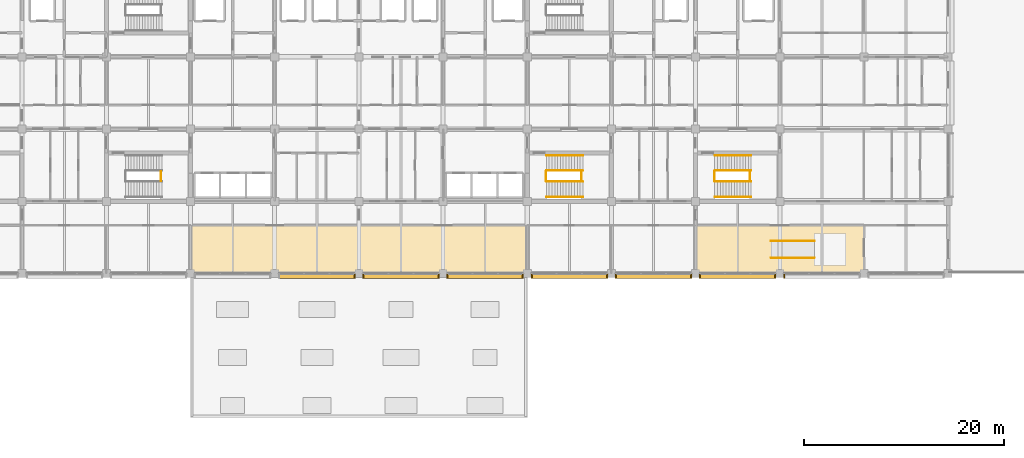
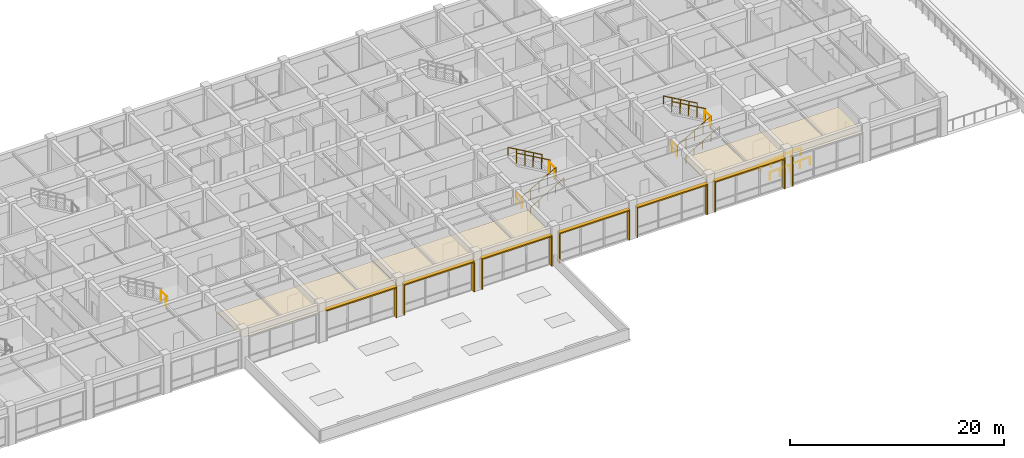
# One storey, part 36 of 40: 18 shading devices, 15 railings, 3 coverings.
"""IFC4 building model written with IfcOpenShell, lengths in metres."""

from ifc_helpers import new_model, si_unit, direction, frame, origin, origin_2d, place, context, subcontext, project, spatial, polyline, rectangle, circle, outline, extrude, material, layer, layer_set, type_object, element, save


model = new_model("IFC4")

# Units and contexts
model_context = context("Model", 3, precision=1e-05, world=origin(), true_north=direction((0.0, 1.0)))
body_context = subcontext(model_context, "Body", "Model", "MODEL_VIEW")
ifc_project = project(units=[si_unit("LENGTHUNIT", "METRE"), si_unit("AREAUNIT", "SQUARE_METRE"), si_unit("VOLUMEUNIT", "CUBIC_METRE"), si_unit("PLANEANGLEUNIT", "RADIAN"), si_unit("MASSUNIT", "GRAM", prefix="KILO")], contexts=[model_context])

# Site, building, storey
site_placement = place(None, origin())
site = spatial("IfcSite", under=ifc_project, at=site_placement, CompositionType="ELEMENT")
building_placement = place(site_placement, origin())
building = spatial("IfcBuilding", under=site, at=building_placement, Name="Chengyuan Square Courthouse", CompositionType="ELEMENT")
storey_placement = place(building_placement, frame((0.0, 0.0, 21.60009765625)))
storey = spatial("IfcBuildingStorey", under=building, at=storey_placement, Name="L05", CompositionType="ELEMENT", Elevation=21.60009765625)

# Coverings
ifc_material_1 = material(Name="Perforated Larch Glulam Acoustic Slat Ceiling", Category="wood")
ifc_layer = layer(ifc_material_1, 0.044921875)
ifc_layer_set = layer_set([ifc_layer], Name="Perforated Larch Glulam Acoustic Slat Ceiling")
covering_type = type_object("IfcCoveringType", Name="CLG-01", PredefinedType="CEILING", material=ifc_layer_set)
covering_1_placement = place(storey_placement, frame((0.0, 0.0, 3.139892578125)))
element("IfcCovering", 1, at=covering_1_placement, inside=storey, type_object=covering_type, Name="Acoustic Timber Slat Ceiling CLG-L05-CRT-M3", PredefinedType="CEILING", context=body_context, shape_type="SweptSolid", body=[
    extrude(outline(polyline([(67.25, 79.25), (83.949951171875, 79.25), (83.949951171875, 83.949951171875), (67.25, 83.949951171875), (67.25, 79.25)])), origin(), (0.0, 0.0, 1.0), 0.044921875),
])
covering_2_placement = place(storey_placement, frame((0.0, 0.0, 3.139892578125)))
element("IfcCovering", 2, at=covering_2_placement, inside=storey, type_object=covering_type, Name="Acoustic Timber Slat Ceiling CLG-L05-CRT-M4", PredefinedType="CEILING", context=body_context, shape_type="SweptSolid", body=[
    extrude(outline(polyline([(84.050048828125, 79.25), (100.75, 79.25), (100.75, 83.949951171875), (84.050048828125, 83.949951171875), (84.050048828125, 79.25)])), origin(), (0.0, 0.0, 1.0), 0.044921875),
])
covering_3_placement = place(storey_placement, frame((0.0, 0.0, 3.139892578125)))
element("IfcCovering", 3, at=covering_3_placement, inside=storey, type_object=covering_type, Name="Acoustic Timber Slat Ceiling CLG-L05-CRT-M2", PredefinedType="CEILING", context=body_context, shape_type="SweptSolid", body=[
    extrude(outline(polyline([(117.64990234375, 79.25), (134.35009765625, 79.25), (134.35009765625, 83.949951171875), (117.64990234375, 83.949951171875), (117.64990234375, 79.25)])), origin(), (0.0, 0.0, 1.0), 0.044921875),
])

# Railings
ifc_material_2 = material(Name="Tempered Glass and Timber Top-Rail Balustrade", Category="wood")
railing_type_1 = type_object("IfcRailingType", Name="RL-02", PredefinedType="BALUSTRADE", material=ifc_material_2)
for number, where, name in (
    (4, (64.22998046875, 88.39990234375, 2.25), "Stair Landing Guard ST-3-L05"),
    (5, (102.68994140625, 88.39990234375, 0.0), "Stair Floor Slot Guard ST-4 L05"),
    (6, (106.22998046875, 88.39990234375, 2.25), "Stair Landing Guard ST-4-L05"),
):
    element("IfcRailing", number, at=place(storey_placement, frame(where)), inside=storey, type_object=railing_type_1, Name=name, PredefinedType="BALUSTRADE", context=body_context, shape_type="SweptSolid", body=[
        extrude(circle(Radius=0.02392578125, at=origin_2d()), frame((0.0, 0.0, 1.17578125), z_axis=(0.0, 1.0, 0.0), x_axis=(-1.0, 0.0, 0.0)), (0.0, 0.0, 1.0), 1.0),
        extrude(circle(Radius=0.02099609375, at=origin_2d()), origin(), (0.0, 0.0, 1.0), 1.15185546875),
        extrude(circle(Radius=0.02099609375, at=origin_2d()), frame((0.0, 1.0, 0.0)), (0.0, 0.0, 1.0), 1.15185546875),
    ])
railing_1_placement = place(storey_placement, frame((102.7099609375, 88.35009765625, 0.16064453125)))
element("IfcRailing", 7, at=railing_1_placement, inside=storey, type_object=railing_type_1, Name="Stair Flight 1 Guard ST-4-L05", PredefinedType="BALUSTRADE", context=body_context, shape_type="SweptSolid", body=[
    extrude(circle(Radius=0.02392578125, at=origin_2d()), frame((0.0, 0.0, 1.17578125), z_axis=(0.867289372828, 0.0, 0.497804322781), x_axis=(0.0, 1.0, 0.0)), (0.0, 0.0, 1.0), 4.197021484375),
    extrude(circle(Radius=0.02099609375, at=origin_2d()), origin(), (0.0, 0.0, 1.0), 1.15185546875),
    extrude(circle(Radius=0.02099609375, at=origin_2d()), frame((0.91015625, 0.0, 0.5224609375)), (0.0, 0.0, 1.0), 1.15185546875),
    extrude(circle(Radius=0.02099609375, at=origin_2d()), frame((1.820068359375, 0.0, 1.044677734375)), (0.0, 0.0, 1.0), 1.15185546875),
    extrude(circle(Radius=0.02099609375, at=origin_2d()), frame((2.72998046875, 0.0, 1.56689453125)), (0.0, 0.0, 1.0), 1.15185546875),
    extrude(circle(Radius=0.02099609375, at=origin_2d()), frame((3.64013671875, 0.0, 2.08935546875)), (0.0, 0.0, 1.0), 1.15185546875),
])
railing_2_placement = place(storey_placement, frame((106.35009765625, 89.449951171875, 2.41064453125)))
element("IfcRailing", 8, at=railing_2_placement, inside=storey, type_object=railing_type_1, Name="Stair Flight 2 Guard ST-4-L05", PredefinedType="BALUSTRADE", context=body_context, shape_type="SweptSolid", body=[
    extrude(circle(Radius=0.02392578125, at=origin_2d()), frame((0.0, 0.0, 1.17578125), z_axis=(-0.867289372828, 0.0, 0.497804322781), x_axis=(0.0, -1.0, 0.0)), (0.0, 0.0, 1.0), 4.197021484375),
    extrude(circle(Radius=0.02099609375, at=origin_2d()), origin(), (0.0, 0.0, 1.0), 1.15185546875),
    extrude(circle(Radius=0.02099609375, at=origin_2d()), frame((-0.91015625, 0.0, 0.5224609375)), (0.0, 0.0, 1.0), 1.15185546875),
    extrude(circle(Radius=0.02099609375, at=origin_2d()), frame((-1.820068359375, 0.0, 1.044677734375)), (0.0, 0.0, 1.0), 1.15185546875),
    extrude(circle(Radius=0.02099609375, at=origin_2d()), frame((-2.72998046875, 0.0, 1.56689453125)), (0.0, 0.0, 1.0), 1.15185546875),
    extrude(circle(Radius=0.02099609375, at=origin_2d()), frame((-3.64013671875, 0.0, 2.08935546875)), (0.0, 0.0, 1.0), 1.15185546875),
])
for number, where, name in (
    (9, (119.489990234375, 88.39990234375, 0.0), "Stair Floor Slot Guard ST-6 L05"),
    (10, (123.030029296875, 88.39990234375, 2.25), "Stair Landing Guard ST-6-L05"),
):
    element("IfcRailing", number, at=place(storey_placement, frame(where)), inside=storey, type_object=railing_type_1, Name=name, PredefinedType="BALUSTRADE", context=body_context, shape_type="SweptSolid", body=[
        extrude(circle(Radius=0.02392578125, at=origin_2d()), frame((0.0, 0.0, 1.17578125), z_axis=(0.0, 1.0, 0.0), x_axis=(-1.0, 0.0, 0.0)), (0.0, 0.0, 1.0), 1.0),
        extrude(circle(Radius=0.02099609375, at=origin_2d()), origin(), (0.0, 0.0, 1.0), 1.15185546875),
        extrude(circle(Radius=0.02099609375, at=origin_2d()), frame((0.0, 1.0, 0.0)), (0.0, 0.0, 1.0), 1.15185546875),
    ])
railing_3_placement = place(storey_placement, frame((119.510009765625, 88.35009765625, 0.16064453125)))
element("IfcRailing", 11, at=railing_3_placement, inside=storey, type_object=railing_type_1, Name="Stair Flight 1 Guard ST-6-L05", PredefinedType="BALUSTRADE", context=body_context, shape_type="SweptSolid", body=[
    extrude(circle(Radius=0.02392578125, at=origin_2d()), frame((0.0, 0.0, 1.17578125), z_axis=(0.8672749571, 0.0, 0.497829437445), x_axis=(0.0, 1.0, 0.0)), (0.0, 0.0, 1.0), 4.197021484375),
    extrude(circle(Radius=0.02099609375, at=origin_2d()), origin(), (0.0, 0.0, 1.0), 1.15185546875),
    extrude(circle(Radius=0.02099609375, at=origin_2d()), frame((0.909912109375, 0.0, 0.5224609375)), (0.0, 0.0, 1.0), 1.15185546875),
    extrude(circle(Radius=0.02099609375, at=origin_2d()), frame((1.81982421875, 0.0, 1.044677734375)), (0.0, 0.0, 1.0), 1.15185546875),
    extrude(circle(Radius=0.02099609375, at=origin_2d()), frame((2.72998046875, 0.0, 1.56689453125)), (0.0, 0.0, 1.0), 1.15185546875),
    extrude(circle(Radius=0.02099609375, at=origin_2d()), frame((3.639892578125, 0.0, 2.08935546875)), (0.0, 0.0, 1.0), 1.15185546875),
])
railing_4_placement = place(storey_placement, frame((123.14990234375, 89.449951171875, 2.41064453125)))
element("IfcRailing", 12, at=railing_4_placement, inside=storey, type_object=railing_type_1, Name="Stair Flight 2 Guard ST-6-L05", PredefinedType="BALUSTRADE", context=body_context, shape_type="SweptSolid", body=[
    extrude(circle(Radius=0.02392578125, at=origin_2d()), frame((0.0, 0.0, 1.17578125), z_axis=(-0.8672749571, 0.0, 0.497829437445), x_axis=(0.0, -1.0, 0.0)), (0.0, 0.0, 1.0), 4.197021484375),
    extrude(circle(Radius=0.02099609375, at=origin_2d()), origin(), (0.0, 0.0, 1.0), 1.15185546875),
    extrude(circle(Radius=0.02099609375, at=origin_2d()), frame((-0.909912109375, 0.0, 0.5224609375)), (0.0, 0.0, 1.0), 1.15185546875),
    extrude(circle(Radius=0.02099609375, at=origin_2d()), frame((-1.81982421875, 0.0, 1.044677734375)), (0.0, 0.0, 1.0), 1.15185546875),
    extrude(circle(Radius=0.02099609375, at=origin_2d()), frame((-2.72998046875, 0.0, 1.56689453125)), (0.0, 0.0, 1.0), 1.15185546875),
    extrude(circle(Radius=0.02099609375, at=origin_2d()), frame((-3.639892578125, 0.0, 2.08935546875)), (0.0, 0.0, 1.0), 1.15185546875),
])
ifc_material_3 = material(Name="Stainless Steel S30408 Tubular Handrail", Category="steel")
railing_type_2 = type_object("IfcRailingType", Name="RL-03", PredefinedType="HANDRAIL", material=ifc_material_3)
for number, where, name in (
    (13, (125.1298828125, 80.760009765625, 0.0), "Accessible Bench Ramp Handrail 4.1"),
    (14, (125.1298828125, 82.43994140625, 0.0), "Accessible Bench Ramp Handrail 4.2"),
):
    element("IfcRailing", number, at=place(storey_placement, frame(where)), inside=storey, type_object=railing_type_2, Name=name, PredefinedType="HANDRAIL", context=body_context, shape_type="SweptSolid", body=[
        extrude(circle(Radius=0.02392578125, at=origin_2d()), frame((0.0, 0.0, 0.8759765625), z_axis=(0.99805235901, 0.0, 0.06238179763), x_axis=(0.0, 1.0, 0.0)), (0.0, 0.0, 1.0), 4.32861328125),
        extrude(circle(Radius=0.02099609375, at=origin_2d()), origin(), (0.0, 0.0, 1.0), 0.851806640625),
        extrude(circle(Radius=0.02099609375, at=origin_2d()), frame((1.080078125, 0.0, 0.0673828125)), (0.0, 0.0, 1.0), 0.851806640625),
        extrude(circle(Radius=0.02099609375, at=origin_2d()), frame((2.16015625, 0.0, 0.135009765625)), (0.0, 0.0, 1.0), 0.851806640625),
        extrude(circle(Radius=0.02099609375, at=origin_2d()), frame((3.239990234375, 0.0, 0.20263671875)), (0.0, 0.0, 1.0), 0.851806640625),
        extrude(circle(Radius=0.02099609375, at=origin_2d()), frame((4.320068359375, 0.0, 0.27001953125)), (0.0, 0.0, 1.0), 0.851806640625),
    ])
ifc_material_4 = material(Name="Stainless Steel S30408 Stair Handrail", Category="steel")
railing_type_3 = type_object("IfcRailingType", Name="RL-04", PredefinedType="HANDRAIL", material=ifc_material_4)
railing_5_placement = place(storey_placement, frame((102.7099609375, 86.820068359375, 0.16064453125)))
element("IfcRailing", 15, at=railing_5_placement, inside=storey, type_object=railing_type_3, Name="Stair Flight 1 Handrail ST-4-L05", PredefinedType="HANDRAIL", context=body_context, shape_type="SweptSolid", body=[
    extrude(circle(Radius=0.02392578125, at=origin_2d()), frame((0.0, 0.0, 0.8759765625), z_axis=(0.867289372828, 0.0, 0.497804322781), x_axis=(0.0, 1.0, 0.0)), (0.0, 0.0, 1.0), 4.197021484375),
    extrude(circle(Radius=0.02099609375, at=origin_2d()), origin(), (0.0, 0.0, 1.0), 0.851806640625),
    extrude(circle(Radius=0.02099609375, at=origin_2d()), frame((0.91015625, 0.0, 0.5224609375)), (0.0, 0.0, 1.0), 0.851806640625),
    extrude(circle(Radius=0.02099609375, at=origin_2d()), frame((1.820068359375, 0.0, 1.044677734375)), (0.0, 0.0, 1.0), 0.851806640625),
    extrude(circle(Radius=0.02099609375, at=origin_2d()), frame((2.72998046875, 0.0, 1.56689453125)), (0.0, 0.0, 1.0), 0.851806640625),
    extrude(circle(Radius=0.02099609375, at=origin_2d()), frame((3.64013671875, 0.0, 2.08935546875)), (0.0, 0.0, 1.0), 0.851806640625),
])
railing_6_placement = place(storey_placement, frame((106.35009765625, 90.97998046875, 2.41064453125)))
element("IfcRailing", 16, at=railing_6_placement, inside=storey, type_object=railing_type_3, Name="Stair Flight 2 Handrail ST-4-L05", PredefinedType="HANDRAIL", context=body_context, shape_type="SweptSolid", body=[
    extrude(circle(Radius=0.02392578125, at=origin_2d()), frame((0.0, 0.0, 0.8759765625), z_axis=(-0.867289372828, 0.0, 0.497804322781), x_axis=(0.0, -1.0, 0.0)), (0.0, 0.0, 1.0), 4.197021484375),
    extrude(circle(Radius=0.02099609375, at=origin_2d()), origin(), (0.0, 0.0, 1.0), 0.851806640625),
    extrude(circle(Radius=0.02099609375, at=origin_2d()), frame((-0.91015625, 0.0, 0.5224609375)), (0.0, 0.0, 1.0), 0.851806640625),
    extrude(circle(Radius=0.02099609375, at=origin_2d()), frame((-1.820068359375, 0.0, 1.044677734375)), (0.0, 0.0, 1.0), 0.851806640625),
    extrude(circle(Radius=0.02099609375, at=origin_2d()), frame((-2.72998046875, 0.0, 1.56689453125)), (0.0, 0.0, 1.0), 0.851806640625),
    extrude(circle(Radius=0.02099609375, at=origin_2d()), frame((-3.64013671875, 0.0, 2.08935546875)), (0.0, 0.0, 1.0), 0.851806640625),
])
railing_7_placement = place(storey_placement, frame((119.510009765625, 86.820068359375, 0.16064453125)))
element("IfcRailing", 17, at=railing_7_placement, inside=storey, type_object=railing_type_3, Name="Stair Flight 1 Handrail ST-6-L05", PredefinedType="HANDRAIL", context=body_context, shape_type="SweptSolid", body=[
    extrude(circle(Radius=0.02392578125, at=origin_2d()), frame((0.0, 0.0, 0.8759765625), z_axis=(0.8672749571, 0.0, 0.497829437445), x_axis=(0.0, 1.0, 0.0)), (0.0, 0.0, 1.0), 4.197021484375),
    extrude(circle(Radius=0.02099609375, at=origin_2d()), origin(), (0.0, 0.0, 1.0), 0.851806640625),
    extrude(circle(Radius=0.02099609375, at=origin_2d()), frame((0.909912109375, 0.0, 0.5224609375)), (0.0, 0.0, 1.0), 0.851806640625),
    extrude(circle(Radius=0.02099609375, at=origin_2d()), frame((1.81982421875, 0.0, 1.044677734375)), (0.0, 0.0, 1.0), 0.851806640625),
    extrude(circle(Radius=0.02099609375, at=origin_2d()), frame((2.72998046875, 0.0, 1.56689453125)), (0.0, 0.0, 1.0), 0.851806640625),
    extrude(circle(Radius=0.02099609375, at=origin_2d()), frame((3.639892578125, 0.0, 2.08935546875)), (0.0, 0.0, 1.0), 0.851806640625),
])
railing_8_placement = place(storey_placement, frame((123.14990234375, 90.97998046875, 2.41064453125)))
element("IfcRailing", 18, at=railing_8_placement, inside=storey, type_object=railing_type_3, Name="Stair Flight 2 Handrail ST-6-L05", PredefinedType="HANDRAIL", context=body_context, shape_type="SweptSolid", body=[
    extrude(circle(Radius=0.02392578125, at=origin_2d()), frame((0.0, 0.0, 0.8759765625), z_axis=(-0.8672749571, 0.0, 0.497829437445), x_axis=(0.0, -1.0, 0.0)), (0.0, 0.0, 1.0), 4.197021484375),
    extrude(circle(Radius=0.02099609375, at=origin_2d()), origin(), (0.0, 0.0, 1.0), 0.851806640625),
    extrude(circle(Radius=0.02099609375, at=origin_2d()), frame((-0.909912109375, 0.0, 0.5224609375)), (0.0, 0.0, 1.0), 0.851806640625),
    extrude(circle(Radius=0.02099609375, at=origin_2d()), frame((-1.81982421875, 0.0, 1.044677734375)), (0.0, 0.0, 1.0), 0.851806640625),
    extrude(circle(Radius=0.02099609375, at=origin_2d()), frame((-2.72998046875, 0.0, 1.56689453125)), (0.0, 0.0, 1.0), 0.851806640625),
    extrude(circle(Radius=0.02099609375, at=origin_2d()), frame((-3.639892578125, 0.0, 2.08935546875)), (0.0, 0.0, 1.0), 0.851806640625),
])

# Shading devices
ifc_material_5 = material(Name="Glulam TCt28 Solar Shading Fin", Category="wood")
shading_device_type_1 = type_object("IfcShadingDeviceType", Name="SHD-01", PredefinedType="JALOUSIE", material=ifc_material_5)
for number, where, z_axis, x_axis, name in (
    (19, (83.570068359375, 78.91796875, 0.0400390625), (0.0, 0.0, 1.0), (0.0, 1.0, 0.0), "Glulam Solar Fin SHD-L05-0548"),
    (20, (84.429931640625, 78.91796875, 0.0400390625), (0.0, 0.0, 1.0), (0.0, 1.0, 0.0), "Glulam Solar Fin SHD-L05-0550"),
    (21, (91.969970703125, 78.91796875, 0.0400390625), (0.0, 0.0, 1.0), (0.0, 1.0, 0.0), "Glulam Solar Fin SHD-L05-0551"),
    (22, (92.830078125, 78.91796875, 0.0400390625), (0.0, 0.0, 1.0), (0.0, 1.0, 0.0), "Glulam Solar Fin SHD-L05-0553"),
    (23, (100.3701171875, 78.91796875, 0.0400390625), (0.0, 0.0, 1.0), (0.0, 1.0, 0.0), "Glulam Solar Fin SHD-L05-0554"),
    (24, (101.22998046875, 78.91796875, 0.0400390625), (0.0, 0.0, 1.0), (0.0, 1.0, 0.0), "Glulam Solar Fin SHD-L05-0556"),
    (25, (108.77001953125, 78.91796875, 0.0400390625), (0.0, 0.0, 1.0), (0.0, 1.0, 0.0), "Glulam Solar Fin SHD-L05-0557"),
    (26, (109.6298828125, 78.91796875, 0.0400390625), (0.0, 0.0, 1.0), (0.0, 1.0, 0.0), "Glulam Solar Fin SHD-L05-0559"),
    (27, (117.169921875, 78.91796875, 0.0400390625), (0.0, 0.0, 1.0), (0.0, 1.0, 0.0), "Glulam Solar Fin SHD-L05-0560"),
    (28, (118.030029296875, 78.91796875, 0.0400390625), (0.0, 0.0, 1.0), (0.0, 1.0, 0.0), "Glulam Solar Fin SHD-L05-0563"),
    (29, (125.570068359375, 78.91796875, 0.0400390625), (0.0, 0.0, 1.0), (0.0, 1.0, 0.0), "Glulam Solar Fin SHD-L05-0564"),
    (30, (126.429931640625, 78.91796875, 0.0400390625), (0.0, 0.0, 1.0), (0.0, 1.0, 0.0), "Glulam Solar Fin SHD-L05-0566"),
):
    element("IfcShadingDevice", number, at=place(storey_placement, frame(where, z_axis=z_axis, x_axis=x_axis)), inside=storey, type_object=shading_device_type_1, Name=name, PredefinedType="JALOUSIE", context=body_context, shape_type="SweptSolid", body=[
        extrude(rectangle(XDim=0.419921875, YDim=0.094970703125, at=origin_2d()), origin(), (0.0, 0.0, 1.0), 3.3798828125),
    ])
ifc_material_6 = material(Name="Glulam TCt28 Sunshade Louvre", Category="wood")
shading_device_type_2 = type_object("IfcShadingDeviceType", Name="SHD-02", PredefinedType="AWNING", material=ifc_material_6)
for number, where, z_axis, x_axis, name in (
    (31, (79.800048828125, 78.91796875, 3.419921875), (0.0, 0.0, 1.0), (1.0, 0.0, 0.0), "Glulam Sunshade Louvre SHD-L05-0549"),
    (32, (88.199951171875, 78.91796875, 3.419921875), (0.0, 0.0, 1.0), (1.0, 0.0, 0.0), "Glulam Sunshade Louvre SHD-L05-0552"),
    (33, (96.60009765625, 78.91796875, 3.419921875), (0.0, 0.0, 1.0), (1.0, 0.0, 0.0), "Glulam Sunshade Louvre SHD-L05-0555"),
    (34, (105.0, 78.91796875, 3.419921875), (0.0, 0.0, 1.0), (1.0, 0.0, 0.0), "Glulam Sunshade Louvre SHD-L05-0558"),
    (35, (113.39990234375, 78.91796875, 3.419921875), (0.0, 0.0, 1.0), (1.0, 0.0, 0.0), "Glulam Sunshade Louvre SHD-L05-0561"),
    (36, (121.800048828125, 78.91796875, 3.419921875), (0.0, 0.0, 1.0), (1.0, 0.0, 0.0), "Glulam Sunshade Louvre SHD-L05-0565"),
):
    element("IfcShadingDevice", number, at=place(storey_placement, frame(where, z_axis=z_axis, x_axis=x_axis)), inside=storey, type_object=shading_device_type_2, Name=name, PredefinedType="AWNING", context=body_context, shape_type="SweptSolid", body=[
        extrude(rectangle(XDim=7.60009765625, YDim=0.43994140625, at=origin_2d()), origin(), (0.0, 0.0, 1.0), 0.139892578125),
    ])

save(model, "model.ifc")
